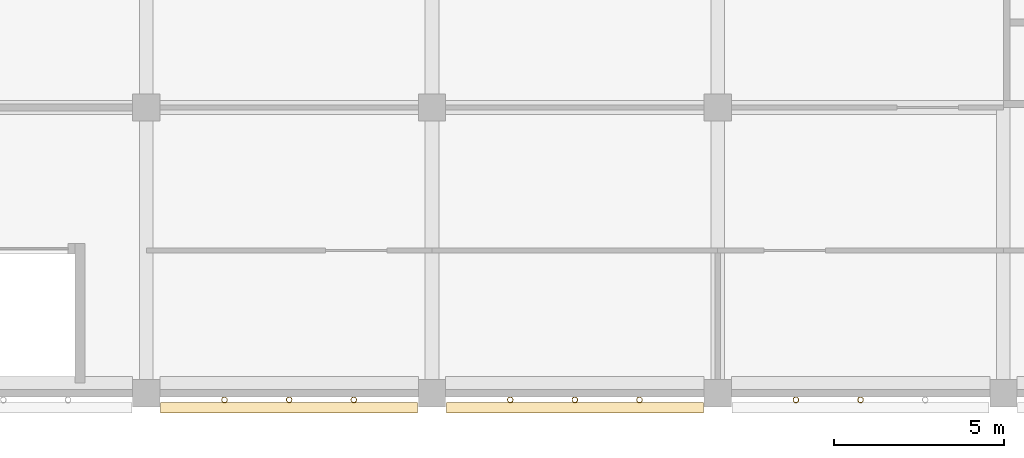
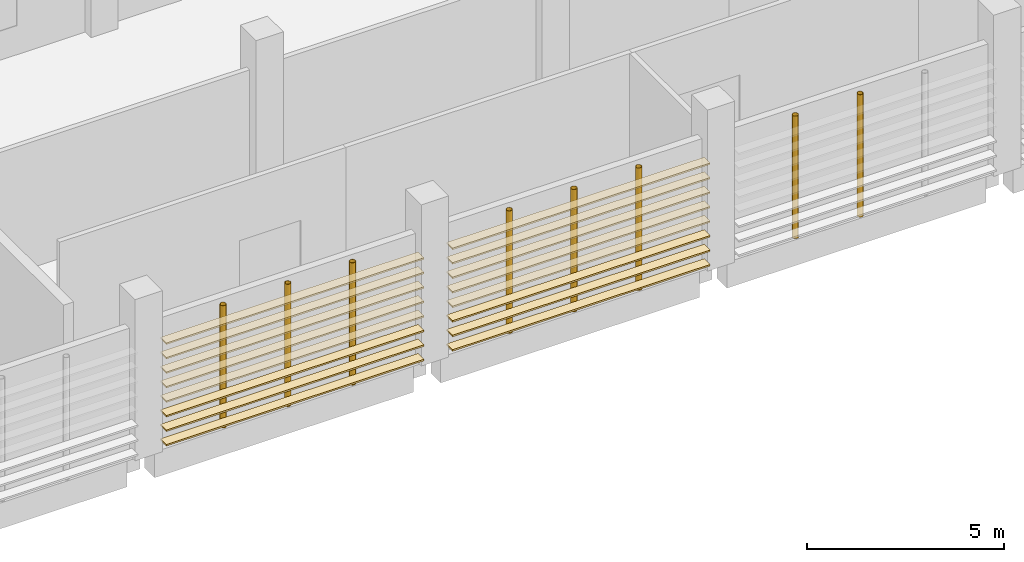
# One storey, part 72 of 101: 16 coverings, 8 shading devices.
"""IFC4 building model written with IfcOpenShell, lengths in metres."""

from ifc_helpers import new_model, si_unit, direction, frame, origin, origin_2d, place, context, subcontext, project, spatial, rectangle, hollow_circle, extrude, material, material_profile, profile_set, type_object, element, save


model = new_model("IFC4")

# Units and contexts
model_context = context("Model", 3, precision=1e-05, world=origin(), true_north=direction((0.0, 1.0)))
body_context = subcontext(model_context, "Body", "Model", "MODEL_VIEW")
ifc_project = project(units=[si_unit("LENGTHUNIT", "METRE"), si_unit("AREAUNIT", "SQUARE_METRE"), si_unit("VOLUMEUNIT", "CUBIC_METRE"), si_unit("PLANEANGLEUNIT", "RADIAN"), si_unit("MASSUNIT", "GRAM", prefix="KILO")], contexts=[model_context])

# Site, building, storey
site_placement = place(None, origin())
site = spatial("IfcSite", under=ifc_project, at=site_placement, CompositionType="ELEMENT")
building_placement = place(site_placement, origin())
building = spatial("IfcBuilding", under=site, at=building_placement, Name="Almond Square Museum", CompositionType="ELEMENT")
storey_placement = place(building_placement, frame((0.0, 0.0, 5.5)))
storey = spatial("IfcBuildingStorey", under=building, at=storey_placement, Name="L01", CompositionType="ELEMENT", Elevation=5.5)

# Shading devices
ifc_material_1 = material(Name="Structural steel S355", Category="steel")
ifc_material_profile_1 = material_profile(ifc_material_1, hollow_circle(Radius=0.084228515625, WallThickness=0.008056640625, at=origin_2d()))
ifc_profile_set_1 = profile_set([ifc_material_profile_1], Name="Structural steel S355")
shading_device_type = type_object("IfcShadingDeviceType", Name="Louvre post CHS 168.3 x 8", PredefinedType="USERDEFINED", material=ifc_profile_set_1)
for number, where, z_axis, x_axis, name in (
    (1, (100.699951171875, -0.194091796875, 0.0), (0.0, 0.0, 1.0), (1.0, 0.0, 0.0), "Louvre screen post"),
    (2, (102.60009765625, -0.194091796875, 0.0), (0.0, 0.0, 1.0), (1.0, 0.0, 0.0), "Louvre screen post"),
    (3, (104.5, -0.194091796875, 0.0), (0.0, 0.0, 1.0), (1.0, 0.0, 0.0), "Louvre screen post"),
    (4, (109.10009765625, -0.194091796875, 0.0), (0.0, 0.0, 1.0), (1.0, 0.0, 0.0), "Louvre screen post"),
    (5, (111.0, -0.194091796875, 0.0), (0.0, 0.0, 1.0), (1.0, 0.0, 0.0), "Louvre screen post"),
    (6, (112.89990234375, -0.194091796875, 0.0), (0.0, 0.0, 1.0), (1.0, 0.0, 0.0), "Louvre screen post"),
    (7, (117.5, -0.194091796875, 0.0), (0.0, 0.0, 1.0), (1.0, 0.0, 0.0), "Louvre screen post"),
    (8, (119.39990234375, -0.194091796875, 0.0), (0.0, 0.0, 1.0), (1.0, 0.0, 0.0), "Louvre screen post"),
):
    element("IfcShadingDevice", number, at=place(storey_placement, frame(where, z_axis=z_axis, x_axis=x_axis)), inside=storey, type_object=shading_device_type, Name=name, ObjectType="POST", PredefinedType="USERDEFINED", context=body_context, shape_type="SweptSolid", body=[
        extrude(hollow_circle(Radius=0.084228515625, WallThickness=0.008056640625, at=origin_2d()), origin(), (0.0, 0.0, 1.0), 3.800048828125),
    ])

# Coverings
ifc_material_2 = material(Name="Cedar timber louvre board", Category="wood")
ifc_material_profile_2 = material_profile(ifc_material_2, rectangle(XDim=0.300048828125, YDim=0.050048828125, at=origin_2d()))
ifc_profile_set_2 = profile_set([ifc_material_profile_2], Name="Cedar timber louvre board")
covering_type = type_object("IfcCoveringType", Name="Louvre screen board 300 x 50", PredefinedType="CLADDING", material=ifc_profile_set_2)
for number, where, z_axis, x_axis, name in (
    (9, (98.820068359375, -0.42431640625, 0.300048828125), (1.0, 0.0, 0.0), (0.0, 1.0, 0.0), "Louvre screen board"),
    (10, (98.820068359375, -0.42431640625, 0.75), (1.0, 0.0, 0.0), (0.0, 1.0, 0.0), "Louvre screen board"),
    (11, (98.820068359375, -0.42431640625, 1.199951171875), (1.0, 0.0, 0.0), (0.0, 1.0, 0.0), "Louvre screen board"),
    (12, (98.820068359375, -0.42431640625, 1.64990234375), (1.0, 0.0, 0.0), (0.0, 1.0, 0.0), "Louvre screen board"),
    (13, (98.820068359375, -0.42431640625, 2.10009765625), (1.0, 0.0, 0.0), (0.0, 1.0, 0.0), "Louvre screen board"),
    (14, (98.820068359375, -0.42431640625, 2.550048828125), (1.0, 0.0, 0.0), (0.0, 1.0, 0.0), "Louvre screen board"),
    (15, (98.820068359375, -0.42431640625, 3.0), (1.0, 0.0, 0.0), (0.0, 1.0, 0.0), "Louvre screen board"),
    (16, (98.820068359375, -0.42431640625, 3.449951171875), (1.0, 0.0, 0.0), (0.0, 1.0, 0.0), "Louvre screen board"),
):
    element("IfcCovering", number, at=place(storey_placement, frame(where, z_axis=z_axis, x_axis=x_axis)), inside=storey, type_object=covering_type, Name=name, PredefinedType="CLADDING", context=body_context, shape_type="SweptSolid", body=[
        extrude(rectangle(XDim=0.300048828125, YDim=0.050048828125, at=origin_2d()), origin(), (0.0, 0.0, 1.0), 7.559814453125),
    ])
for number, where, z_axis, x_axis, name in (
    (17, (107.219970703125, -0.42431640625, 0.300048828125), (1.0, 0.0, 0.0), (0.0, 1.0, 0.0), "Louvre screen board"),
    (18, (107.219970703125, -0.42431640625, 0.75), (1.0, 0.0, 0.0), (0.0, 1.0, 0.0), "Louvre screen board"),
    (19, (107.219970703125, -0.42431640625, 1.199951171875), (1.0, 0.0, 0.0), (0.0, 1.0, 0.0), "Louvre screen board"),
    (20, (107.219970703125, -0.42431640625, 1.64990234375), (1.0, 0.0, 0.0), (0.0, 1.0, 0.0), "Louvre screen board"),
    (21, (107.219970703125, -0.42431640625, 2.10009765625), (1.0, 0.0, 0.0), (0.0, 1.0, 0.0), "Louvre screen board"),
    (22, (107.219970703125, -0.42431640625, 2.550048828125), (1.0, 0.0, 0.0), (0.0, 1.0, 0.0), "Louvre screen board"),
    (23, (107.219970703125, -0.42431640625, 3.0), (1.0, 0.0, 0.0), (0.0, 1.0, 0.0), "Louvre screen board"),
    (24, (107.219970703125, -0.42431640625, 3.449951171875), (1.0, 0.0, 0.0), (0.0, 1.0, 0.0), "Louvre screen board"),
):
    element("IfcCovering", number, at=place(storey_placement, frame(where, z_axis=z_axis, x_axis=x_axis)), inside=storey, type_object=covering_type, Name=name, PredefinedType="CLADDING", context=body_context, shape_type="SweptSolid", body=[
        extrude(rectangle(XDim=0.300048828125, YDim=0.050048828125, at=origin_2d()), origin(), (0.0, 0.0, 1.0), 7.56005859375),
    ])

save(model, "model.ifc")
